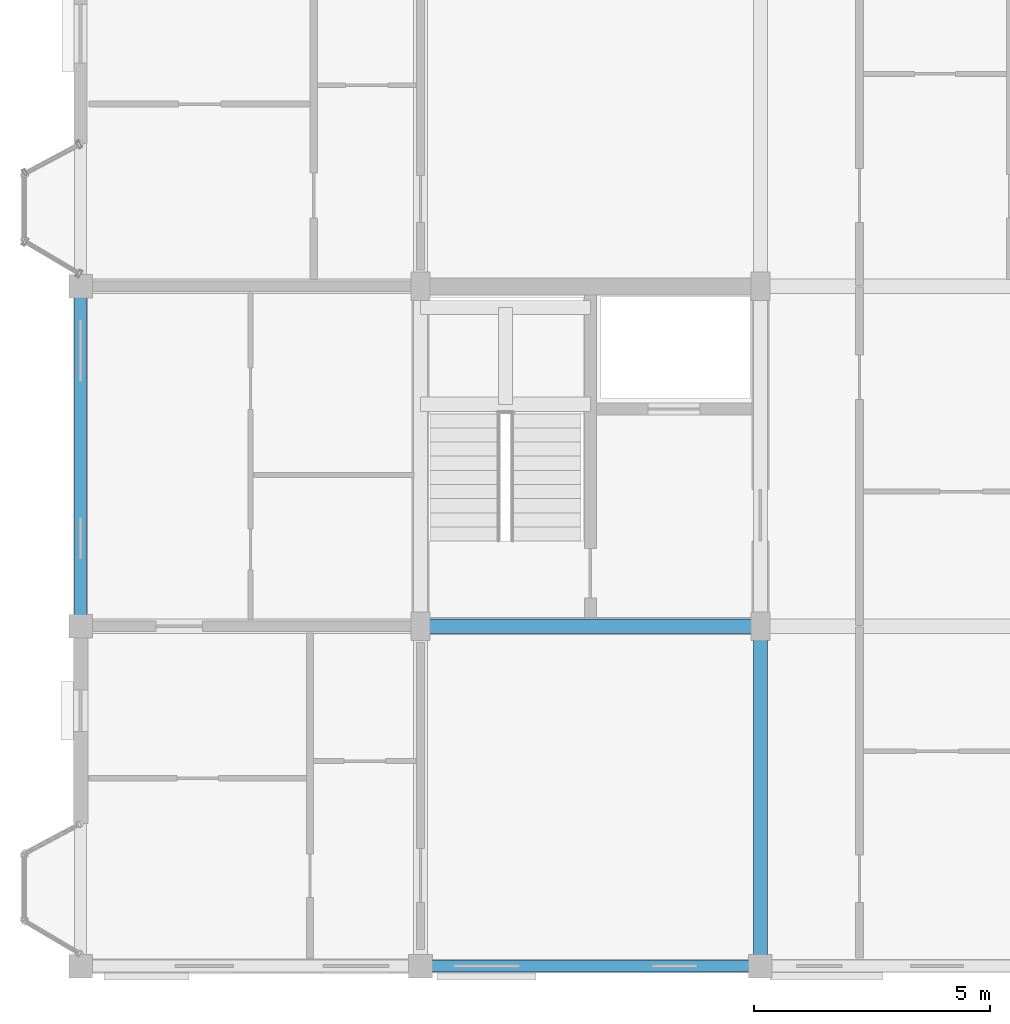
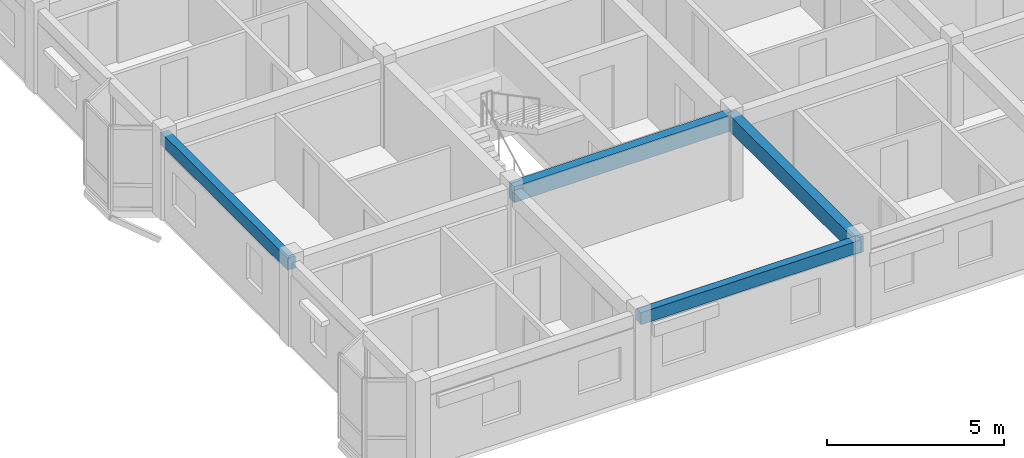
# One storey, part 4 of 65: 4 beams.
"""IFC4 building model written with IfcOpenShell, lengths in metres."""

from ifc_helpers import new_model, si_unit, direction, frame, origin, origin_2d, place, context, subcontext, project, spatial, rectangle, extrude, material, material_profile, profile_set, type_object, element, save


model = new_model("IFC4")

# Units and contexts
model_context = context("Model", 3, precision=1e-05, world=origin(), true_north=direction((0.0, 1.0)))
body_context = subcontext(model_context, "Body", "Model", "MODEL_VIEW")
ifc_project = project(units=[si_unit("LENGTHUNIT", "METRE"), si_unit("AREAUNIT", "SQUARE_METRE"), si_unit("VOLUMEUNIT", "CUBIC_METRE"), si_unit("PLANEANGLEUNIT", "RADIAN"), si_unit("MASSUNIT", "GRAM", prefix="KILO"), si_unit("THERMODYNAMICTEMPERATUREUNIT", "KELVIN"), si_unit("POWERUNIT", "WATT")], contexts=[model_context])

# Site, building, storey
site_placement = place(None, origin())
site = spatial("IfcSite", under=ifc_project, at=site_placement, CompositionType="ELEMENT")
building_placement = place(site_placement, origin())
building = spatial("IfcBuilding", under=site, at=building_placement, Name="Tavuni Mirador Residences", CompositionType="ELEMENT")
storey_placement = place(building_placement, frame((0.0, 0.0, 29.699951171875)))
storey = spatial("IfcBuildingStorey", under=building, at=storey_placement, Name="L09", CompositionType="ELEMENT", Elevation=29.699951171875)

# Beams
ifc_material = material(Name="Precast concrete C40/50", Category="concrete")
ifc_material_profile_1 = material_profile(ifc_material, rectangle(XDim=0.300048828125, YDim=0.550048828125, at=origin_2d()), Name="PC 300x550", Category="concrete")
ifc_profile_set_1 = profile_set([ifc_material_profile_1], Name="Precast concrete C40/50")
beam_type_1 = type_object("IfcBeamType", Name="BT-B550", PredefinedType="BEAM", material=ifc_profile_set_1)
for number, where, z_axis, x_axis, name in (
    (1, (10.800048828125, 14.39990234375, 2.594970703125), (1.0, 0.0, 0.0), (0.0, 1.0, 0.0), "BMX-BLK-A-L09-01-01"),
    (2, (18.0, 7.199951171875, 2.594970703125), (0.0, 1.0, 0.0), (-1.0, 0.0, 0.0), "BMY-BLK-A-L09-02-00"),
):
    element("IfcBeam", number, at=place(storey_placement, frame(where, z_axis=z_axis, x_axis=x_axis)), inside=storey, type_object=beam_type_1, Name=name, PredefinedType="BEAM", context=body_context, shape_type="SweptSolid", body=[
        extrude(rectangle(XDim=0.300048828125, YDim=0.550048828125, at=origin_2d()), origin(), (0.0, 0.0, 1.0), 7.199951171875),
    ])
ifc_material_profile_2 = material_profile(ifc_material, rectangle(XDim=0.25, YDim=0.419921875, at=origin_2d()), Name="PC 250x420", Category="concrete")
ifc_profile_set_2 = profile_set([ifc_material_profile_2], Name="Precast concrete C40/50")
beam_type_2 = type_object("IfcBeamType", Name="BT-SP420", PredefinedType="SPANDREL", material=ifc_profile_set_2)
beam_1_placement = place(storey_placement, frame((10.800048828125, 7.199951171875, 2.66015625), z_axis=(1.0, 0.0, 0.0), x_axis=(0.0, 1.0, 0.0)))
element("IfcBeam", 3, at=beam_1_placement, inside=storey, type_object=beam_type_2, Name="BMX-BLK-A-L09-01-00", PredefinedType="SPANDREL", context=body_context, shape_type="SweptSolid", body=[
    extrude(rectangle(XDim=0.25, YDim=0.419921875, at=origin_2d()), origin(), (0.0, 0.0, 1.0), 7.199951171875),
])
beam_2_placement = place(storey_placement, frame((3.60009765625, 14.39990234375, 2.66015625), z_axis=(0.0, 1.0, 0.0), x_axis=(-1.0, 0.0, 0.0)))
element("IfcBeam", 4, at=beam_2_placement, inside=storey, type_object=beam_type_2, Name="BMY-BLK-A-L09-00-01", PredefinedType="SPANDREL", context=body_context, shape_type="SweptSolid", body=[
    extrude(rectangle(XDim=0.25, YDim=0.419921875, at=origin_2d()), origin(), (0.0, 0.0, 1.0), 7.2001953125),
])

save(model, "model.ifc")
